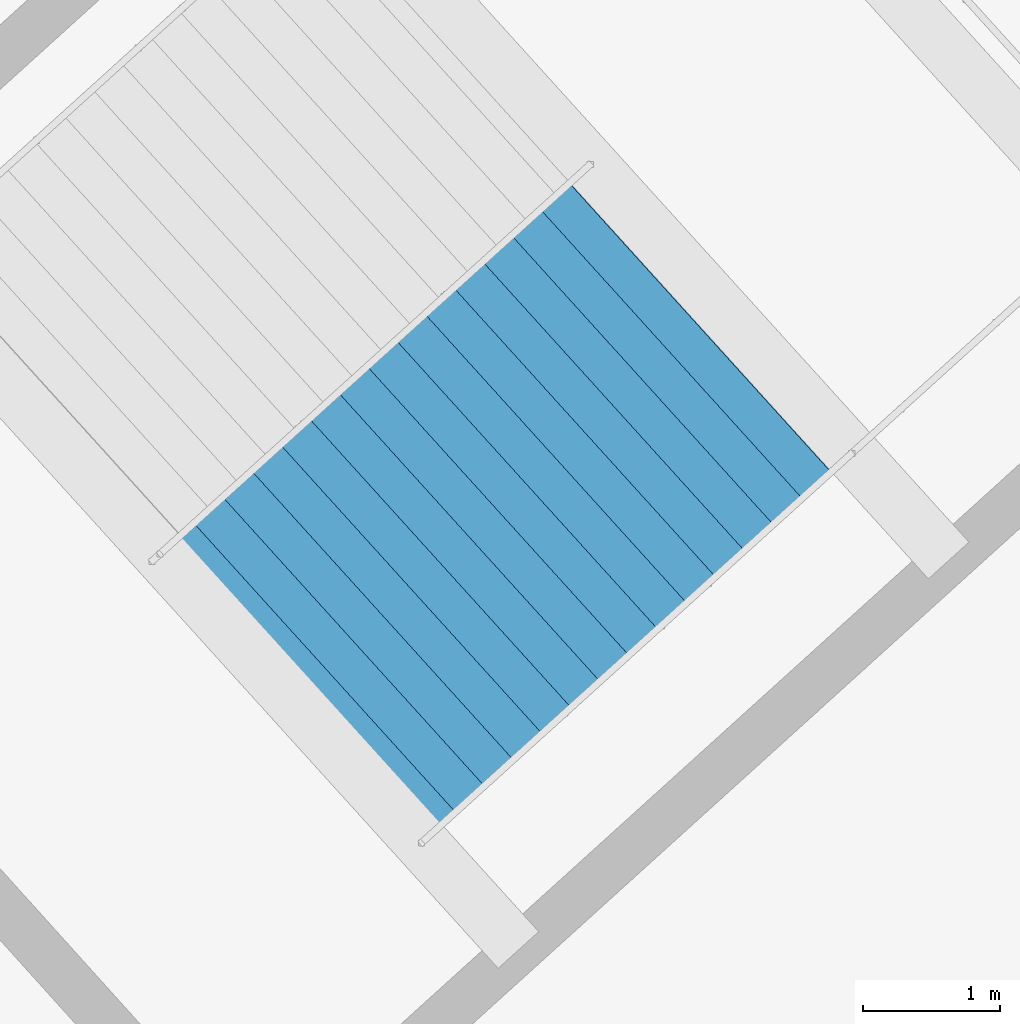
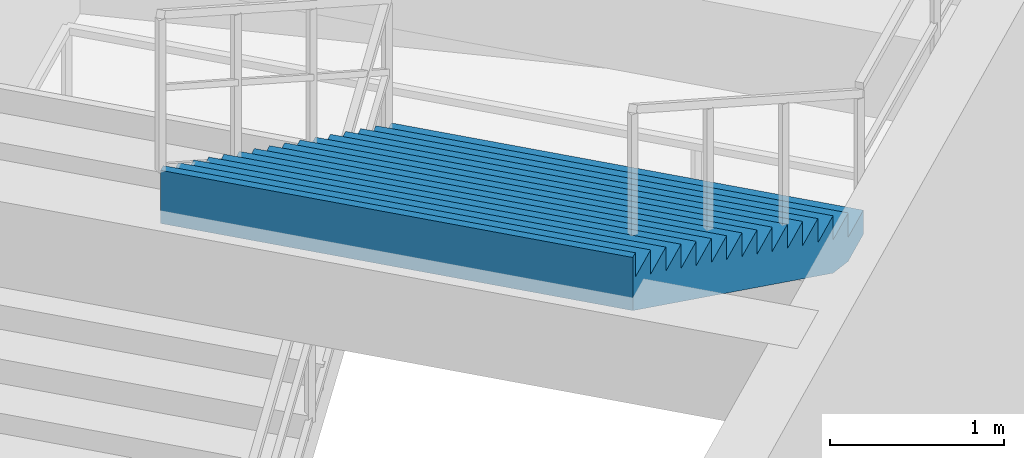
# One storey, part 76 of 86: 1 stair flight, 1 element without a shape of its own.
"""IFC4 building model written with IfcOpenShell, lengths in metres."""

from ifc_helpers import new_model, si_unit, direction, frame, origin, place, context, subcontext, project, spatial, polygons, material, type_object, element, aggregate, save


model = new_model("IFC4")

# Units and contexts
model_context = context("Model", 3, precision=1e-05, world=origin(), true_north=direction((0.0, 1.0)))
body_context = subcontext(model_context, "Body", "Model", "MODEL_VIEW")
ifc_project = project(units=[si_unit("LENGTHUNIT", "METRE"), si_unit("AREAUNIT", "SQUARE_METRE"), si_unit("VOLUMEUNIT", "CUBIC_METRE"), si_unit("PLANEANGLEUNIT", "RADIAN"), si_unit("MASSUNIT", "GRAM", prefix="KILO")], contexts=[model_context])

# Site, building, storey
site_placement = place(None, origin())
site = spatial("IfcSite", under=ifc_project, at=site_placement, CompositionType="ELEMENT")
building_placement = place(site_placement, origin())
building = spatial("IfcBuilding", under=site, at=building_placement, Name="Kazemori Nagisa Stadium", CompositionType="ELEMENT")
storey_placement = place(building_placement, frame((0.0, 0.0, 31.280029296875)))
storey = spatial("IfcBuildingStorey", under=building, at=storey_placement, Name="L06", CompositionType="ELEMENT", Elevation=31.280029296875)

# Stair, stair flight
ifc_material = material(Name="Concrete C36/45 (Fc36)", Category="concrete")
stair_type = type_object("IfcStairType", Name="Stair_CORE_32", PredefinedType="TWO_STRAIGHT_RUN_STAIR", material=ifc_material)
stair_placement = place(storey_placement, origin())
stair = element("IfcStair", 1, at=stair_placement, inside=storey, type_object=stair_type, Name="Exit stair ST04 L06", PredefinedType="TWO_STRAIGHT_RUN_STAIR")
stair_flight_type = type_object("IfcStairFlightType", Name="Flight_CORE_16", PredefinedType="STRAIGHT", material=ifc_material)
stair_flight_placement = place(storey_placement, frame((187.9541015625, 40.25390625, 2.719970703125), z_axis=(0.0, 0.0, 1.0), x_axis=(-0.741328742395, -0.671142083093, 0.0)))
stair_flight = element("IfcStairFlight", 2, at=stair_flight_placement, type_object=stair_flight_type, Name="Exit stair ST04 L06 flight 2", NumberOfRisers=16, NumberOfTreads=15, PredefinedType="STRAIGHT", RiserHeight=0.17, TreadLength=0.285, context=body_context, shape_type="Tessellation", body=[
    polygons([(0.0, -1.425048828125, 0.0), (0.0, -1.425048828125, 0.169921875), (0.284912109375, -1.425048828125, 0.169921875), (0.284912109375, -1.425048828125, 0.340087890625), (0.570068359375, -1.425048828125, 0.340087890625), (0.570068359375, -1.425048828125, 0.510009765625), (0.85498046875, -1.425048828125, 0.510009765625), (0.85498046875, -1.425048828125, 0.679931640625), (1.139892578125, -1.425048828125, 0.679931640625), (1.139892578125, -1.425048828125, 0.85009765625), (1.425048828125, -1.425048828125, 0.85009765625), (1.425048828125, -1.425048828125, 1.02001953125), (1.7099609375, -1.425048828125, 1.02001953125), (1.7099609375, -1.425048828125, 1.18994140625), (1.9951171875, -1.425048828125, 1.18994140625), (1.9951171875, -1.425048828125, 1.360107421875), (2.280029296875, -1.425048828125, 1.360107421875), (2.280029296875, -1.425048828125, 1.530029296875), (2.56494140625, -1.425048828125, 1.530029296875), (2.56494140625, -1.425048828125, 1.699951171875), (2.85009765625, -1.425048828125, 1.699951171875), (2.85009765625, -1.425048828125, 1.8701171875), (3.135009765625, -1.425048828125, 1.8701171875), (3.135009765625, -1.425048828125, 2.0400390625), (3.419921875, -1.425048828125, 2.0400390625), (3.419921875, -1.425048828125, 2.2099609375), (3.705078125, -1.425048828125, 2.2099609375), (3.705078125, -1.425048828125, 2.3798828125), (3.989990234375, -1.425048828125, 2.3798828125), (3.989990234375, -1.425048828125, 2.550048828125), (4.27490234375, -1.425048828125, 2.550048828125), (4.27490234375, -1.425048828125, 2.719970703125), (4.324951171875, -1.425048828125, 2.719970703125), (4.324951171875, -1.425048828125, 2.346923828125), (4.27490234375, -1.425048828125, 2.317138671875), (3.989990234375, -1.425048828125, 2.147216796875), (3.705078125, -1.425048828125, 1.977294921875), (3.419921875, -1.425048828125, 1.80712890625), (3.135009765625, -1.425048828125, 1.63720703125), (2.85009765625, -1.425048828125, 1.46728515625), (2.56494140625, -1.425048828125, 1.297119140625), (2.280029296875, -1.425048828125, 1.127197265625), (1.9951171875, -1.425048828125, 0.957275390625), (1.7099609375, -1.425048828125, 0.787109375), (1.425048828125, -1.425048828125, 0.6171875), (1.139892578125, -1.425048828125, 0.447265625), (0.85498046875, -1.425048828125, 0.277099609375), (0.570068359375, -1.425048828125, 0.107177734375), (0.284912109375, -1.425048828125, 0.0), (0.0, -0.08544921875, 0.0), (0.0, -0.08544921875, 0.169921875), (0.284912109375, -0.08544921875, 0.169921875), (0.284912109375, -0.08544921875, 0.340087890625), (0.570068359375, -0.08544921875, 0.340087890625), (0.570068359375, -0.08544921875, 0.510009765625), (0.85498046875, -0.08544921875, 0.510009765625), (0.85498046875, -0.08544921875, 0.679931640625), (1.139892578125, -0.08544921875, 0.679931640625), (1.139892578125, -0.08544921875, 0.85009765625), (1.425048828125, -0.08544921875, 0.85009765625), (1.425048828125, -0.08544921875, 1.02001953125), (1.7099609375, -0.08544921875, 1.02001953125), (1.7099609375, -0.08544921875, 1.18994140625), (1.9951171875, -0.08544921875, 1.18994140625), (1.9951171875, -0.08544921875, 1.360107421875), (2.280029296875, -0.08544921875, 1.360107421875), (2.280029296875, -0.08544921875, 1.530029296875), (2.56494140625, -0.08544921875, 1.530029296875), (2.56494140625, -0.08544921875, 1.699951171875), (2.85009765625, -0.08544921875, 1.699951171875), (2.85009765625, -0.08544921875, 1.8701171875), (3.135009765625, -0.08544921875, 1.8701171875), (3.135009765625, -0.08544921875, 2.0400390625), (3.419921875, -0.08544921875, 2.0400390625), (3.419921875, -0.08544921875, 2.2099609375), (3.705078125, -0.08544921875, 2.2099609375), (3.705078125, -0.08544921875, 2.3798828125), (3.989990234375, -0.08544921875, 2.3798828125), (3.989990234375, -0.08544921875, 2.550048828125), (4.27490234375, -0.08544921875, 2.550048828125), (4.27490234375, -0.08544921875, 2.719970703125), (4.324951171875, -0.08544921875, 2.719970703125), (4.324951171875, -0.08544921875, 2.346923828125), (4.27490234375, -0.08544921875, 2.317138671875), (3.989990234375, -0.08544921875, 2.147216796875), (3.705078125, -0.08544921875, 1.977294921875), (3.419921875, -0.08544921875, 1.80712890625), (3.135009765625, -0.08544921875, 1.63720703125), (2.85009765625, -0.08544921875, 1.46728515625), (2.56494140625, -0.08544921875, 1.297119140625), (2.280029296875, -0.08544921875, 1.127197265625), (1.9951171875, -0.08544921875, 0.957275390625), (1.7099609375, -0.08544921875, 0.787109375), (1.425048828125, -0.08544921875, 0.6171875), (1.139892578125, -0.08544921875, 0.447265625), (0.85498046875, -0.08544921875, 0.277099609375), (0.570068359375, -0.08544921875, 0.107177734375), (0.284912109375, -0.08544921875, 0.0), (0.0, 0.0, 0.0), (0.0, 0.0, 0.169921875), (0.284912109375, 0.0, 0.169921875), (0.284912109375, 0.0, 0.340087890625), (0.570068359375, 0.0, 0.340087890625), (0.570068359375, 0.0, 0.510009765625), (0.85498046875, 0.0, 0.510009765625), (0.85498046875, 0.0, 0.679931640625), (1.139892578125, 0.0, 0.679931640625), (1.139892578125, 0.0, 0.85009765625), (1.425048828125, 0.0, 0.85009765625), (1.425048828125, 0.0, 1.02001953125), (1.7099609375, 0.0, 1.02001953125), (1.7099609375, 0.0, 1.18994140625), (1.9951171875, 0.0, 1.18994140625), (1.9951171875, 0.0, 1.360107421875), (2.280029296875, 0.0, 1.360107421875), (2.280029296875, 0.0, 1.530029296875), (2.56494140625, 0.0, 1.530029296875), (2.56494140625, 0.0, 1.699951171875), (2.85009765625, 0.0, 1.699951171875), (2.85009765625, 0.0, 1.8701171875), (3.135009765625, 0.0, 1.8701171875), (3.135009765625, 0.0, 2.0400390625), (3.419921875, 0.0, 2.0400390625), (3.419921875, 0.0, 2.2099609375), (3.705078125, 0.0, 2.2099609375), (3.705078125, 0.0, 2.3798828125), (3.989990234375, 0.0, 2.3798828125), (3.989990234375, 0.0, 2.550048828125), (4.27490234375, 0.0, 2.550048828125), (4.27490234375, 0.0, 2.719970703125), (4.324951171875, 0.0, 2.719970703125), (4.324951171875, 0.0, 2.346923828125), (4.27490234375, 0.0, 2.317138671875), (3.989990234375, 0.0, 2.147216796875), (3.705078125, 0.0, 1.977294921875), (3.419921875, 0.0, 1.80712890625), (3.135009765625, 0.0, 1.63720703125), (2.85009765625, 0.0, 1.46728515625), (2.56494140625, 0.0, 1.297119140625), (2.280029296875, 0.0, 1.127197265625), (1.9951171875, 0.0, 0.957275390625), (1.7099609375, 0.0, 0.787109375), (1.425048828125, 0.0, 0.6171875), (1.139892578125, 0.0, 0.447265625), (0.85498046875, 0.0, 0.277099609375), (0.570068359375, 0.0, 0.107177734375), (0.284912109375, 0.0, 0.0), (0.0, 0.08544921875, 0.0), (0.0, 0.08544921875, 0.169921875), (0.284912109375, 0.08544921875, 0.169921875), (0.284912109375, 0.08544921875, 0.340087890625), (0.570068359375, 0.08544921875, 0.340087890625), (0.570068359375, 0.08544921875, 0.510009765625), (0.85498046875, 0.08544921875, 0.510009765625), (0.85498046875, 0.08544921875, 0.679931640625), (1.139892578125, 0.08544921875, 0.679931640625), (1.139892578125, 0.08544921875, 0.85009765625), (1.425048828125, 0.08544921875, 0.85009765625), (1.425048828125, 0.08544921875, 1.02001953125), (1.7099609375, 0.08544921875, 1.02001953125), (1.7099609375, 0.08544921875, 1.18994140625), (1.9951171875, 0.08544921875, 1.18994140625), (1.9951171875, 0.08544921875, 1.360107421875), (2.280029296875, 0.08544921875, 1.360107421875), (2.280029296875, 0.08544921875, 1.530029296875), (2.56494140625, 0.08544921875, 1.530029296875), (2.56494140625, 0.08544921875, 1.699951171875), (2.85009765625, 0.08544921875, 1.699951171875), (2.85009765625, 0.08544921875, 1.8701171875), (3.135009765625, 0.08544921875, 1.8701171875), (3.135009765625, 0.08544921875, 2.0400390625), (3.419921875, 0.08544921875, 2.0400390625), (3.419921875, 0.08544921875, 2.2099609375), (3.705078125, 0.08544921875, 2.2099609375), (3.705078125, 0.08544921875, 2.3798828125), (3.989990234375, 0.08544921875, 2.3798828125), (3.989990234375, 0.08544921875, 2.550048828125), (4.27490234375, 0.08544921875, 2.550048828125), (4.27490234375, 0.08544921875, 2.719970703125), (4.324951171875, 0.08544921875, 2.719970703125), (4.324951171875, 0.08544921875, 2.346923828125), (4.27490234375, 0.08544921875, 2.317138671875), (3.989990234375, 0.08544921875, 2.147216796875), (3.705078125, 0.08544921875, 1.977294921875), (3.419921875, 0.08544921875, 1.80712890625), (3.135009765625, 0.08544921875, 1.63720703125), (2.85009765625, 0.08544921875, 1.46728515625), (2.56494140625, 0.08544921875, 1.297119140625), (2.280029296875, 0.08544921875, 1.127197265625), (1.9951171875, 0.08544921875, 0.957275390625), (1.7099609375, 0.08544921875, 0.787109375), (1.425048828125, 0.08544921875, 0.6171875), (1.139892578125, 0.08544921875, 0.447265625), (0.85498046875, 0.08544921875, 0.277099609375), (0.570068359375, 0.08544921875, 0.107177734375), (0.284912109375, 0.08544921875, 0.0), (0.0, 1.425048828125, 0.0), (0.0, 1.425048828125, 0.169921875), (0.284912109375, 1.425048828125, 0.169921875), (0.284912109375, 1.425048828125, 0.340087890625), (0.570068359375, 1.425048828125, 0.340087890625), (0.570068359375, 1.425048828125, 0.510009765625), (0.85498046875, 1.425048828125, 0.510009765625), (0.85498046875, 1.425048828125, 0.679931640625), (1.139892578125, 1.425048828125, 0.679931640625), (1.139892578125, 1.425048828125, 0.85009765625), (1.425048828125, 1.425048828125, 0.85009765625), (1.425048828125, 1.425048828125, 1.02001953125), (1.7099609375, 1.425048828125, 1.02001953125), (1.7099609375, 1.425048828125, 1.18994140625), (1.9951171875, 1.425048828125, 1.18994140625), (1.9951171875, 1.425048828125, 1.360107421875), (2.280029296875, 1.425048828125, 1.360107421875), (2.280029296875, 1.425048828125, 1.530029296875), (2.56494140625, 1.425048828125, 1.530029296875), (2.56494140625, 1.425048828125, 1.699951171875), (2.85009765625, 1.425048828125, 1.699951171875), (2.85009765625, 1.425048828125, 1.8701171875), (3.135009765625, 1.425048828125, 1.8701171875), (3.135009765625, 1.425048828125, 2.0400390625), (3.419921875, 1.425048828125, 2.0400390625), (3.419921875, 1.425048828125, 2.2099609375), (3.705078125, 1.425048828125, 2.2099609375), (3.705078125, 1.425048828125, 2.3798828125), (3.989990234375, 1.425048828125, 2.3798828125), (3.989990234375, 1.425048828125, 2.550048828125), (4.27490234375, 1.425048828125, 2.550048828125), (4.27490234375, 1.425048828125, 2.719970703125), (4.324951171875, 1.425048828125, 2.719970703125), (4.324951171875, 1.425048828125, 2.346923828125), (4.27490234375, 1.425048828125, 2.317138671875), (3.989990234375, 1.425048828125, 2.147216796875), (3.705078125, 1.425048828125, 1.977294921875), (3.419921875, 1.425048828125, 1.80712890625), (3.135009765625, 1.425048828125, 1.63720703125), (2.85009765625, 1.425048828125, 1.46728515625), (2.56494140625, 1.425048828125, 1.297119140625), (2.280029296875, 1.425048828125, 1.127197265625), (1.9951171875, 1.425048828125, 0.957275390625), (1.7099609375, 1.425048828125, 0.787109375), (1.425048828125, 1.425048828125, 0.6171875), (1.139892578125, 1.425048828125, 0.447265625), (0.85498046875, 1.425048828125, 0.277099609375), (0.570068359375, 1.425048828125, 0.107177734375), (0.284912109375, 1.425048828125, 0.0)], [[[1, 2, 51]], [[1, 51, 50]], [[2, 3, 52]], [[2, 52, 51]], [[3, 4, 53]], [[3, 53, 52]], [[4, 5, 54]], [[4, 54, 53]], [[5, 6, 55]], [[5, 55, 54]], [[6, 7, 56]], [[6, 56, 55]], [[7, 8, 57]], [[7, 57, 56]], [[8, 9, 58]], [[8, 58, 57]], [[9, 10, 59]], [[9, 59, 58]], [[10, 11, 60]], [[10, 60, 59]], [[11, 12, 61]], [[11, 61, 60]], [[12, 13, 62]], [[12, 62, 61]], [[13, 14, 63]], [[13, 63, 62]], [[14, 15, 64]], [[14, 64, 63]], [[15, 16, 65]], [[15, 65, 64]], [[16, 17, 66]], [[16, 66, 65]], [[17, 18, 67]], [[17, 67, 66]], [[18, 19, 68]], [[18, 68, 67]], [[19, 20, 69]], [[19, 69, 68]], [[20, 21, 70]], [[20, 70, 69]], [[21, 22, 71]], [[21, 71, 70]], [[22, 23, 72]], [[22, 72, 71]], [[23, 24, 73]], [[23, 73, 72]], [[24, 25, 74]], [[24, 74, 73]], [[25, 26, 75]], [[25, 75, 74]], [[26, 27, 76]], [[26, 76, 75]], [[27, 28, 77]], [[27, 77, 76]], [[28, 29, 78]], [[28, 78, 77]], [[29, 30, 79]], [[29, 79, 78]], [[30, 31, 80]], [[30, 80, 79]], [[31, 32, 81]], [[31, 81, 80]], [[32, 33, 82]], [[32, 82, 81]], [[33, 34, 83]], [[33, 83, 82]], [[34, 35, 84]], [[34, 84, 83]], [[35, 36, 85]], [[35, 85, 84]], [[36, 37, 86]], [[36, 86, 85]], [[37, 38, 87]], [[37, 87, 86]], [[38, 39, 88]], [[38, 88, 87]], [[39, 40, 89]], [[39, 89, 88]], [[40, 41, 90]], [[40, 90, 89]], [[41, 42, 91]], [[41, 91, 90]], [[42, 43, 92]], [[42, 92, 91]], [[43, 44, 93]], [[43, 93, 92]], [[44, 45, 94]], [[44, 94, 93]], [[45, 46, 95]], [[45, 95, 94]], [[46, 47, 96]], [[46, 96, 95]], [[47, 48, 97]], [[47, 97, 96]], [[48, 49, 98]], [[48, 98, 97]], [[49, 1, 50]], [[49, 50, 98]], [[50, 51, 100]], [[50, 100, 99]], [[51, 52, 101]], [[51, 101, 100]], [[52, 53, 102]], [[52, 102, 101]], [[53, 54, 103]], [[53, 103, 102]], [[54, 55, 104]], [[54, 104, 103]], [[55, 56, 105]], [[55, 105, 104]], [[56, 57, 106]], [[56, 106, 105]], [[57, 58, 107]], [[57, 107, 106]], [[58, 59, 108]], [[58, 108, 107]], [[59, 60, 109]], [[59, 109, 108]], [[60, 61, 110]], [[60, 110, 109]], [[61, 62, 111]], [[61, 111, 110]], [[62, 63, 112]], [[62, 112, 111]], [[63, 64, 113]], [[63, 113, 112]], [[64, 65, 114]], [[64, 114, 113]], [[65, 66, 115]], [[65, 115, 114]], [[66, 67, 116]], [[66, 116, 115]], [[67, 68, 117]], [[67, 117, 116]], [[68, 69, 118]], [[68, 118, 117]], [[69, 70, 119]], [[69, 119, 118]], [[70, 71, 120]], [[70, 120, 119]], [[71, 72, 121]], [[71, 121, 120]], [[72, 73, 122]], [[72, 122, 121]], [[73, 74, 123]], [[73, 123, 122]], [[74, 75, 124]], [[74, 124, 123]], [[75, 76, 125]], [[75, 125, 124]], [[76, 77, 126]], [[76, 126, 125]], [[77, 78, 127]], [[77, 127, 126]], [[78, 79, 128]], [[78, 128, 127]], [[79, 80, 129]], [[79, 129, 128]], [[80, 81, 130]], [[80, 130, 129]], [[81, 82, 131]], [[81, 131, 130]], [[82, 83, 132]], [[82, 132, 131]], [[83, 84, 133]], [[83, 133, 132]], [[84, 85, 134]], [[84, 134, 133]], [[85, 86, 135]], [[85, 135, 134]], [[86, 87, 136]], [[86, 136, 135]], [[87, 88, 137]], [[87, 137, 136]], [[88, 89, 138]], [[88, 138, 137]], [[89, 90, 139]], [[89, 139, 138]], [[90, 91, 140]], [[90, 140, 139]], [[91, 92, 141]], [[91, 141, 140]], [[92, 93, 142]], [[92, 142, 141]], [[93, 94, 143]], [[93, 143, 142]], [[94, 95, 144]], [[94, 144, 143]], [[95, 96, 145]], [[95, 145, 144]], [[96, 97, 146]], [[96, 146, 145]], [[97, 98, 147]], [[97, 147, 146]], [[98, 50, 99]], [[98, 99, 147]], [[99, 100, 149]], [[99, 149, 148]], [[100, 101, 150]], [[100, 150, 149]], [[101, 102, 151]], [[101, 151, 150]], [[102, 103, 152]], [[102, 152, 151]], [[103, 104, 153]], [[103, 153, 152]], [[104, 105, 154]], [[104, 154, 153]], [[105, 106, 155]], [[105, 155, 154]], [[106, 107, 156]], [[106, 156, 155]], [[107, 108, 157]], [[107, 157, 156]], [[108, 109, 158]], [[108, 158, 157]], [[109, 110, 159]], [[109, 159, 158]], [[110, 111, 160]], [[110, 160, 159]], [[111, 112, 161]], [[111, 161, 160]], [[112, 113, 162]], [[112, 162, 161]], [[113, 114, 163]], [[113, 163, 162]], [[114, 115, 164]], [[114, 164, 163]], [[115, 116, 165]], [[115, 165, 164]], [[116, 117, 166]], [[116, 166, 165]], [[117, 118, 167]], [[117, 167, 166]], [[118, 119, 168]], [[118, 168, 167]], [[119, 120, 169]], [[119, 169, 168]], [[120, 121, 170]], [[120, 170, 169]], [[121, 122, 171]], [[121, 171, 170]], [[122, 123, 172]], [[122, 172, 171]], [[123, 124, 173]], [[123, 173, 172]], [[124, 125, 174]], [[124, 174, 173]], [[125, 126, 175]], [[125, 175, 174]], [[126, 127, 176]], [[126, 176, 175]], [[127, 128, 177]], [[127, 177, 176]], [[128, 129, 178]], [[128, 178, 177]], [[129, 130, 179]], [[129, 179, 178]], [[130, 131, 180]], [[130, 180, 179]], [[131, 132, 181]], [[131, 181, 180]], [[132, 133, 182]], [[132, 182, 181]], [[133, 134, 183]], [[133, 183, 182]], [[134, 135, 184]], [[134, 184, 183]], [[135, 136, 185]], [[135, 185, 184]], [[136, 137, 186]], [[136, 186, 185]], [[137, 138, 187]], [[137, 187, 186]], [[138, 139, 188]], [[138, 188, 187]], [[139, 140, 189]], [[139, 189, 188]], [[140, 141, 190]], [[140, 190, 189]], [[141, 142, 191]], [[141, 191, 190]], [[142, 143, 192]], [[142, 192, 191]], [[143, 144, 193]], [[143, 193, 192]], [[144, 145, 194]], [[144, 194, 193]], [[145, 146, 195]], [[145, 195, 194]], [[146, 147, 196]], [[146, 196, 195]], [[147, 99, 148]], [[147, 148, 196]], [[148, 149, 198]], [[148, 198, 197]], [[149, 150, 199]], [[149, 199, 198]], [[150, 151, 200]], [[150, 200, 199]], [[151, 152, 201]], [[151, 201, 200]], [[152, 153, 202]], [[152, 202, 201]], [[153, 154, 203]], [[153, 203, 202]], [[154, 155, 204]], [[154, 204, 203]], [[155, 156, 205]], [[155, 205, 204]], [[156, 157, 206]], [[156, 206, 205]], [[157, 158, 207]], [[157, 207, 206]], [[158, 159, 208]], [[158, 208, 207]], [[159, 160, 209]], [[159, 209, 208]], [[160, 161, 210]], [[160, 210, 209]], [[161, 162, 211]], [[161, 211, 210]], [[162, 163, 212]], [[162, 212, 211]], [[163, 164, 213]], [[163, 213, 212]], [[164, 165, 214]], [[164, 214, 213]], [[165, 166, 215]], [[165, 215, 214]], [[166, 167, 216]], [[166, 216, 215]], [[167, 168, 217]], [[167, 217, 216]], [[168, 169, 218]], [[168, 218, 217]], [[169, 170, 219]], [[169, 219, 218]], [[170, 171, 220]], [[170, 220, 219]], [[171, 172, 221]], [[171, 221, 220]], [[172, 173, 222]], [[172, 222, 221]], [[173, 174, 223]], [[173, 223, 222]], [[174, 175, 224]], [[174, 224, 223]], [[175, 176, 225]], [[175, 225, 224]], [[176, 177, 226]], [[176, 226, 225]], [[177, 178, 227]], [[177, 227, 226]], [[178, 179, 228]], [[178, 228, 227]], [[179, 180, 229]], [[179, 229, 228]], [[180, 181, 230]], [[180, 230, 229]], [[181, 182, 231]], [[181, 231, 230]], [[182, 183, 232]], [[182, 232, 231]], [[183, 184, 233]], [[183, 233, 232]], [[184, 185, 234]], [[184, 234, 233]], [[185, 186, 235]], [[185, 235, 234]], [[186, 187, 236]], [[186, 236, 235]], [[187, 188, 237]], [[187, 237, 236]], [[188, 189, 238]], [[188, 238, 237]], [[189, 190, 239]], [[189, 239, 238]], [[190, 191, 240]], [[190, 240, 239]], [[191, 192, 241]], [[191, 241, 240]], [[192, 193, 242]], [[192, 242, 241]], [[193, 194, 243]], [[193, 243, 242]], [[194, 195, 244]], [[194, 244, 243]], [[195, 196, 245]], [[195, 245, 244]], [[196, 148, 197]], [[196, 197, 245]], [[3, 2, 1]], [[197, 198, 199]], [[49, 3, 1]], [[197, 199, 245]], [[48, 3, 49]], [[245, 199, 244]], [[5, 3, 48]], [[244, 199, 201]], [[5, 4, 3]], [[199, 200, 201]], [[47, 5, 48]], [[244, 201, 243]], [[7, 5, 47]], [[243, 201, 203]], [[7, 6, 5]], [[201, 202, 203]], [[46, 7, 47]], [[243, 203, 242]], [[9, 7, 46]], [[242, 203, 205]], [[9, 8, 7]], [[203, 204, 205]], [[45, 9, 46]], [[242, 205, 241]], [[11, 9, 45]], [[241, 205, 207]], [[11, 10, 9]], [[205, 206, 207]], [[44, 11, 45]], [[241, 207, 240]], [[13, 11, 44]], [[240, 207, 209]], [[13, 12, 11]], [[207, 208, 209]], [[43, 13, 44]], [[240, 209, 239]], [[15, 13, 43]], [[239, 209, 211]], [[15, 14, 13]], [[209, 210, 211]], [[42, 15, 43]], [[239, 211, 238]], [[17, 15, 42]], [[238, 211, 213]], [[17, 16, 15]], [[211, 212, 213]], [[41, 17, 42]], [[238, 213, 237]], [[19, 17, 41]], [[237, 213, 215]], [[19, 18, 17]], [[213, 214, 215]], [[40, 19, 41]], [[237, 215, 236]], [[21, 19, 40]], [[236, 215, 217]], [[21, 20, 19]], [[215, 216, 217]], [[39, 21, 40]], [[236, 217, 235]], [[23, 21, 39]], [[235, 217, 219]], [[23, 22, 21]], [[217, 218, 219]], [[38, 23, 39]], [[235, 219, 234]], [[25, 23, 38]], [[234, 219, 221]], [[25, 24, 23]], [[219, 220, 221]], [[37, 25, 38]], [[234, 221, 233]], [[27, 25, 37]], [[233, 221, 223]], [[27, 26, 25]], [[221, 222, 223]], [[36, 27, 37]], [[233, 223, 232]], [[29, 27, 36]], [[232, 223, 225]], [[29, 28, 27]], [[223, 224, 225]], [[35, 29, 36]], [[232, 225, 231]], [[31, 29, 35]], [[231, 225, 227]], [[31, 30, 29]], [[225, 226, 227]], [[34, 31, 35]], [[231, 227, 230]], [[33, 31, 34]], [[230, 227, 229]], [[33, 32, 31]], [[227, 228, 229]]], closed=True),
])
aggregate(stair, [stair_flight])

save(model, "model.ifc")
